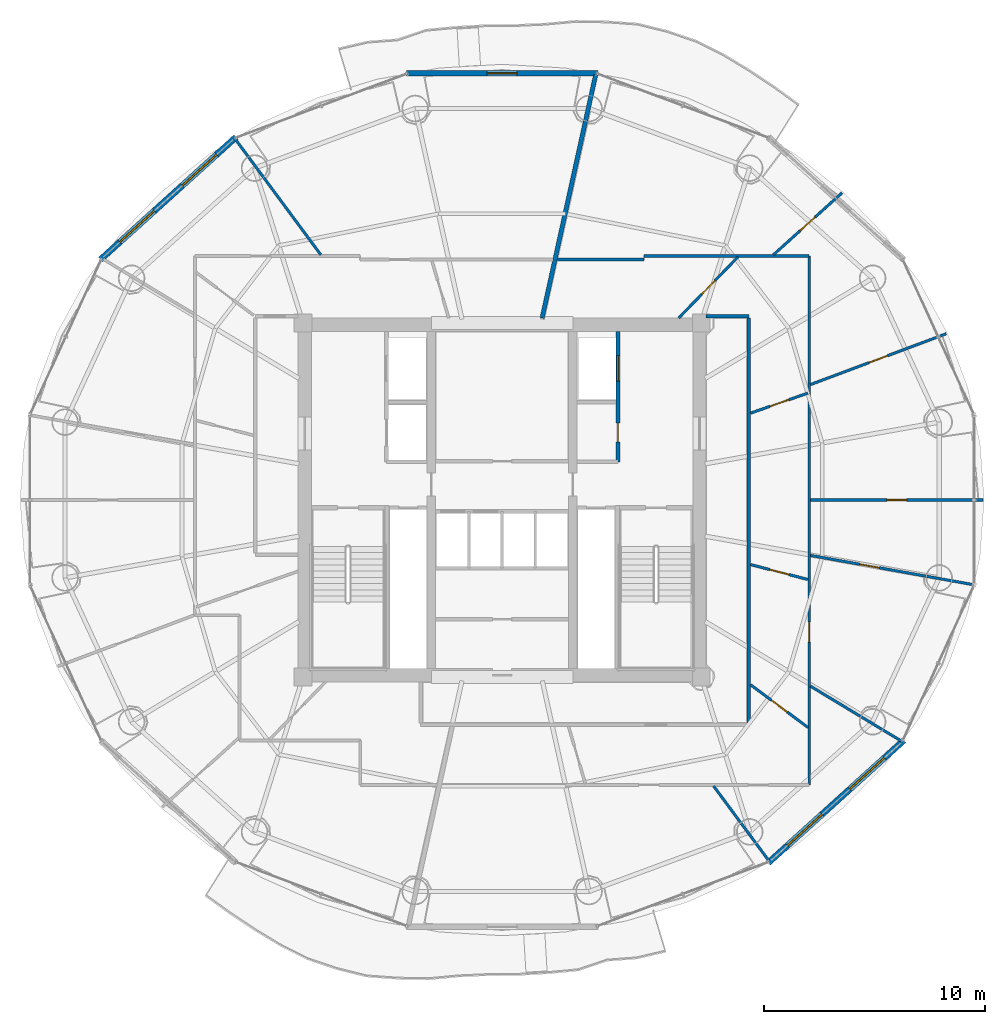
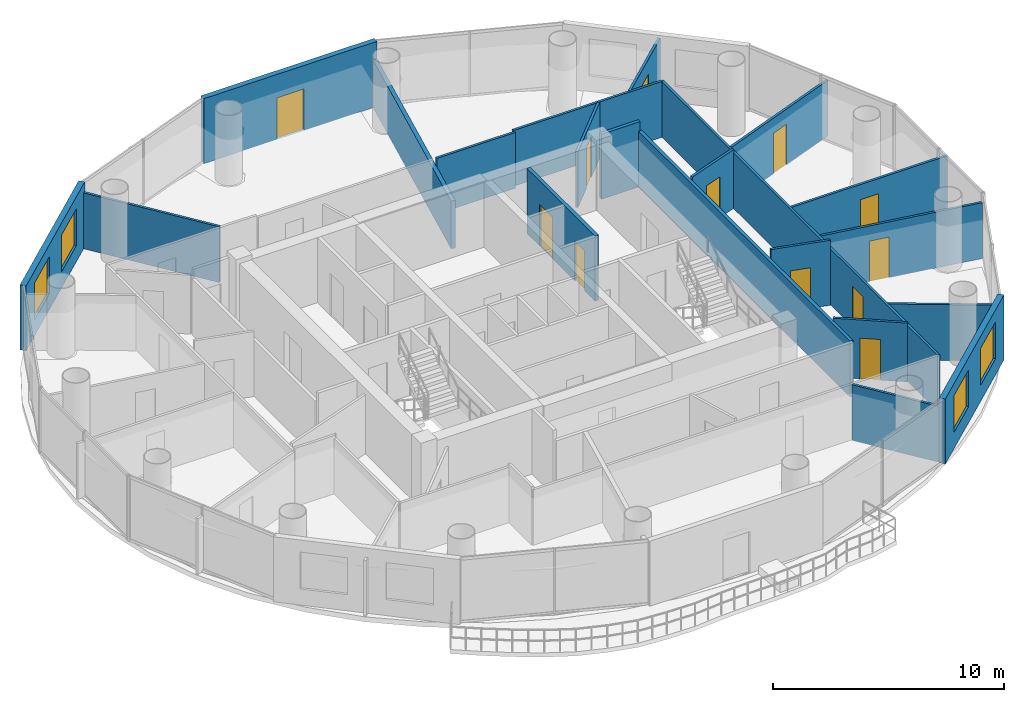
# One storey, part 22 of 26: 21 walls, 12 doors, 4 windows, 16 openings.
"""IFC4 building model written with IfcOpenShell, lengths in metres."""

import ifcopenshell
import ifcopenshell.guid

model = None  # the IFC model being written
_history = None  # IfcOwnerHistory: only IFC2X3 demands one
_inside = {}  # id of a spatial element -> (the spatial element, [elements in it])
_under = {}  # id of a project, library or spatial element -> (it, [spatial elements below it])
_declared = {}  # id of a project -> (the project, [libraries it declares])
_typed = {}  # id of a type object -> (the type object, [elements of that type])
_made_of = {}  # id of a material, layer set ... -> (it, [elements and type objects made of it])


def new_model(schema):
    """Start an empty IFC model of exactly this schema.

    Asked for "IFC4X3", IfcOpenShell would pick the latest addendum, in which some entities
    have other attributes; the version numbers below select the first issue.
    IFC2X3 requires an IfcOwnerHistory on every rooted entity: one is made here for all.
    """
    global model, _history
    if schema == "IFC4X3":
        model = ifcopenshell.file(schema_version=(4, 3, 0, 0))
    else:
        model = ifcopenshell.file(schema=schema)
    _inside.clear()
    _under.clear()
    _declared.clear()
    _typed.clear()
    _made_of.clear()
    _history = None
    if model.schema == "IFC2X3":
        org = make("IfcOrganization", Name="unknown")
        user = make(
            "IfcPersonAndOrganization",
            ThePerson=make("IfcPerson", FamilyName="unknown"),
            TheOrganization=org,
        )
        app = make(
            "IfcApplication",
            ApplicationDeveloper=org,
            Version="unknown",
            ApplicationFullName="unknown",
            ApplicationIdentifier="unknown",
        )
        _history = make(
            "IfcOwnerHistory",
            OwningUser=user,
            OwningApplication=app,
            ChangeAction="ADDED",
            CreationDate=0,
        )
    return model


def make(cls, **values):
    """One entity of the class cls with the attributes given. An attribute that is None is left unset."""
    return model.create_entity(
        cls, **{name: value for name, value in values.items() if value is not None}
    )


def rooted(cls, **values):
    """An entity with a GlobalId (a new one), such as an element, a storey or a relation."""
    return make(cls, GlobalId=ifcopenshell.guid.new(), OwnerHistory=_history, **values)


def si_unit(unit_type, name, prefix=None):
    """IfcSIUnit, for example si_unit("LENGTHUNIT", "METRE", prefix="MILLI")."""
    return make("IfcSIUnit", UnitType=unit_type, Prefix=prefix, Name=name)


def assignment(units):
    """IfcUnitAssignment: the units of a project."""
    return None if units is None else make("IfcUnitAssignment", Units=units)


def point(xyz):
    """IfcCartesianPoint."""
    return None if xyz is None else make("IfcCartesianPoint", Coordinates=xyz)


def direction(xyz):
    """IfcDirection."""
    return None if xyz is None else make("IfcDirection", DirectionRatios=xyz)


def frame(location, z_axis=None, x_axis=None):
    """IfcAxis2Placement3D, a coordinate frame: its origin and axes. An axis left out is left unset."""
    return make(
        "IfcAxis2Placement3D",
        Location=point(location),
        Axis=direction(z_axis),
        RefDirection=direction(x_axis),
    )


def frame_2d(location, x_axis=None):
    """IfcAxis2Placement2D, a coordinate frame in the plane: its origin and x axis."""
    return make(
        "IfcAxis2Placement2D", Location=point(location), RefDirection=direction(x_axis)
    )


def origin():
    """The frame at (0, 0, 0) with its axes left unset."""
    return frame((0.0, 0.0, 0.0))


def place(relative_to, where):
    """IfcLocalPlacement: puts the frame where relative to a parent placement (None: the world)."""
    return make(
        "IfcLocalPlacement", PlacementRelTo=relative_to, RelativePlacement=where
    )


def context(
    kind, dimensions, precision=None, world=None, true_north=None, identifier=None
):
    """IfcGeometricRepresentationContext, for example the 3D "Model" context."""
    return make(
        "IfcGeometricRepresentationContext",
        ContextIdentifier=identifier,
        ContextType=kind,
        CoordinateSpaceDimension=dimensions,
        Precision=precision,
        WorldCoordinateSystem=world,
        TrueNorth=true_north,
    )


def subcontext(parent, identifier, kind, view, scale=None):
    """IfcGeometricRepresentationSubContext, for example "Body" below "Model"."""
    return make(
        "IfcGeometricRepresentationSubContext",
        ContextIdentifier=identifier,
        ContextType=kind,
        ParentContext=parent,
        TargetScale=scale,
        TargetView=view,
    )


def project(units=None, contexts=None):
    """IfcProject with its units and contexts."""
    return rooted(
        "IfcProject",
        Name="project",
        RepresentationContexts=contexts,
        UnitsInContext=assignment(units),
    )


def spatial(cls, under=None, at=None, **own):
    """A site, building, storey or space (cls), placed at a placement, below another one or the project."""
    s = rooted(cls, ObjectPlacement=at, **own)
    if under is not None:
        _under.setdefault(under.id(), (under, []))[1].append(s)
    return s


def profile(cls, at=None, kind="AREA", **sizes):
    """A parametric profile (cls). Its sizes go by their IFC names, for example OverallWidth=200.0."""
    return make(cls, ProfileType=kind, Position=at, **sizes)


def rectangle(**sizes):
    """IfcRectangleProfileDef."""
    return profile("IfcRectangleProfileDef", **sizes)


def extrude(swept, where, along, depth):
    """IfcExtrudedAreaSolid: the profile swept, set in the frame where, extruded along a direction by depth."""
    return make(
        "IfcExtrudedAreaSolid",
        SweptArea=swept,
        Position=where,
        ExtrudedDirection=direction(along),
        Depth=depth,
    )


def shape(context_of_items, identifier, shape_type, items):
    """IfcShapeRepresentation: the items that make up one representation, for example the "Body"."""
    return make(
        "IfcShapeRepresentation",
        ContextOfItems=context_of_items,
        RepresentationIdentifier=identifier,
        RepresentationType=shape_type,
        Items=items,
    )


def source(mapping_origin, context_of_items, identifier, shape_type, items):
    """IfcRepresentationMap: a shape defined once, which mapped items show again and again."""
    return make(
        "IfcRepresentationMap",
        MappingOrigin=mapping_origin,
        MappedRepresentation=shape(context_of_items, identifier, shape_type, items),
    )


def transform(
    local_origin,
    x_axis=None,
    y_axis=None,
    z_axis=None,
    scale=None,
    scale2=None,
    scale3=None,
    uniform=True,
):
    """IfcCartesianTransformationOperator3D, or its non-uniform kind. x_axis, y_axis, z_axis: its Axis1, 2, 3."""
    if uniform:
        return make(
            "IfcCartesianTransformationOperator3D",
            Axis1=direction(x_axis),
            Axis2=direction(y_axis),
            LocalOrigin=point(local_origin),
            Scale=scale,
            Axis3=direction(z_axis),
        )
    return make(
        "IfcCartesianTransformationOperator3DnonUniform",
        Axis1=direction(x_axis),
        Axis2=direction(y_axis),
        LocalOrigin=point(local_origin),
        Scale=scale,
        Axis3=direction(z_axis),
        Scale2=scale2,
        Scale3=scale3,
    )


def mapped(mapping_source, mapping_target):
    """IfcMappedItem: shows the shape of a source again, moved by a transform."""
    return make(
        "IfcMappedItem", MappingSource=mapping_source, MappingTarget=mapping_target
    )


def material(Name=None, Category=None):
    """IfcMaterial."""
    return make("IfcMaterial", Name=Name, Category=Category)


def layer(
    of_material, thickness, ventilated=None, Name=None, Category=None, Priority=None
):
    """IfcMaterialLayer: one layer of a wall or slab, of a material (None: an air gap)."""
    return make(
        "IfcMaterialLayer",
        Material=of_material,
        LayerThickness=thickness,
        IsVentilated=ventilated,
        Name=Name,
        Category=Category,
        Priority=Priority,
    )


def layer_set(layers, Name=None):
    """IfcMaterialLayerSet."""
    return make("IfcMaterialLayerSet", MaterialLayers=layers, LayerSetName=Name)


def made_of(thing, what):
    """Note that an element or type object is made of a material, layer set ...; save() writes the relation."""
    if what is not None:
        _made_of.setdefault(what.id(), (what, []))[1].append(thing)
    return thing


def type_object(cls, material=None, **own):
    """A type object (cls), such as IfcWallType, which elements share."""
    return made_of(rooted(cls, **own), material)


def element(
    cls,
    number,
    at=None,
    inside=None,
    cuts=None,
    type_object=None,
    material=None,
    context=None,
    identifier="Body",
    shape_type=None,
    held_by="IfcProductDefinitionShape",
    body=None,
    shapes=None,
    **own,
):
    """One element of the class cls, such as IfcWall. Its Tag is "e" and its number.

    at: its placement. inside: the storey or other place that contains it. cuts: it is an
    opening in that element (IfcRelVoidsElement). A single representation is given by context,
    identifier, shape_type and body (its items); several are given by shapes. held_by: the class
    of the entity that holds the representations. save() writes the other relations.
    """
    e = rooted(cls, Tag="e%d" % number, ObjectPlacement=at, **own)
    if body is not None:
        shapes = [shape(context, identifier, shape_type, body)]
    if shapes is not None:
        e.Representation = make(held_by, Representations=shapes)
    if inside is not None:
        _inside.setdefault(inside.id(), (inside, []))[1].append(e)
    if cuts is not None:
        rooted(
            "IfcRelVoidsElement", RelatingBuildingElement=cuts, RelatedOpeningElement=e
        )
    if type_object is not None:
        _typed.setdefault(type_object.id(), (type_object, []))[1].append(e)
    return made_of(e, material)


def fill(opening, filler):
    """IfcRelFillsElement: the door or window that sits in an opening."""
    return rooted(
        "IfcRelFillsElement",
        RelatingOpeningElement=opening,
        RelatedBuildingElement=filler,
    )


def aggregate(whole, parts):
    """IfcRelAggregates: a whole, such as a stair, and the parts it consists of."""
    return rooted("IfcRelAggregates", RelatingObject=whole, RelatedObjects=parts)


def save(model, path):
    """Write the relations noted so far, then the file.

    IfcRelAggregates (storeys below a building ...), IfcRelContainedInSpatialStructure (elements
    in a storey), IfcRelDefinesByType, IfcRelAssociatesMaterial and IfcRelDeclares: one each for
    every whole, place, type object, material and project.
    """
    for whole, parts in _under.values():
        aggregate(whole, parts)
    for where, things in _inside.values():
        rooted(
            "IfcRelContainedInSpatialStructure",
            RelatedElements=things,
            RelatingStructure=where,
        )
    for kind, things in _typed.values():
        rooted("IfcRelDefinesByType", RelatedObjects=things, RelatingType=kind)
    for what, things in _made_of.values():
        rooted("IfcRelAssociatesMaterial", RelatedObjects=things, RelatingMaterial=what)
    for by, libraries in _declared.values():
        rooted("IfcRelDeclares", RelatingContext=by, RelatedDefinitions=libraries)
    model.write(path)


model = new_model("IFC4")

# Units and contexts
model_context = context("Model", 3, precision=1e-05, world=origin(), true_north=direction((-0.2419218956, 0.970295726276)))
body_context = subcontext(model_context, "Body", "Model", "MODEL_VIEW")
ifc_project = project(units=[si_unit("LENGTHUNIT", "METRE"), si_unit("AREAUNIT", "SQUARE_METRE"), si_unit("VOLUMEUNIT", "CUBIC_METRE"), si_unit("PLANEANGLEUNIT", "RADIAN"), si_unit("MASSUNIT", "GRAM", prefix="KILO")], contexts=[model_context])

# Site, building, storey
site_placement = place(None, origin())
site = spatial("IfcSite", under=ifc_project, at=site_placement, CompositionType="ELEMENT")
building_placement = place(site_placement, origin())
building = spatial("IfcBuilding", under=site, at=building_placement, Name="Cobrevalo Terracotta Tower", CompositionType="ELEMENT")
storey_placement = place(building_placement, frame((0.0, 0.0, 228.199951171875)))
storey = spatial("IfcBuildingStorey", under=building, at=storey_placement, Name="L60", CompositionType="ELEMENT", Elevation=228.199951171875)

# Walls
ifc_material_1 = material(Name="Gypsum board on steel stud", Category="steel")
ifc_layer_1 = layer(ifc_material_1, 0.159912109375)
ifc_layer_set_1 = layer_set([ifc_layer_1], Name="Gypsum board on steel stud")
wall_type_1 = type_object("IfcWallType", Name="Fire-rated corridor acoustic partition wall 160 mm", PredefinedType="PARTITIONING", material=ifc_layer_set_1)
wall_1_placement = place(storey_placement, frame((49.155029296875, 16.72509765625, 0.0), z_axis=(0.0, 0.0, 1.0), x_axis=(0.0, 1.0, 0.0)))
element("IfcWall", 1, at=wall_1_placement, inside=storey, type_object=wall_type_1, Name="L60 interior partition IW-L60-COR-E", PredefinedType="PARTITIONING", context=body_context, shape_type="SweptSolid", body=[
    extrude(rectangle(XDim=18.2998046875, YDim=0.159912109375, at=frame_2d((9.14990234375, 0.0))), origin(), (0.0, 0.0, 1.0), 2.950927734375),
])
wall_2_placement = place(storey_placement, frame((47.22509765625, 35.10498046875, 0.0), z_axis=(0.0, 0.0, 1.0), x_axis=(1.0, 0.0, 0.0)))
element("IfcWall", 2, at=wall_2_placement, inside=storey, type_object=wall_type_1, Name="L60 interior partition IW-L60-COR-EN-CAP", PredefinedType="PARTITIONING", context=body_context, shape_type="SweptSolid", body=[
    extrude(rectangle(XDim=1.929931640625, YDim=0.159912109375, at=frame_2d((0.96484375, 0.0))), origin(), (0.0, 0.0, 1.0), 3.43505859375),
])

# Wall, openings, doors
ifc_layer_2 = layer(ifc_material_1, 0.179931640625)
ifc_layer_set_2 = layer_set([ifc_layer_2], Name="Gypsum board on steel stud")
wall_type_2 = type_object("IfcWallType", Name="Fire-rated shaft & lobby acoustic partition wall 180 mm", PredefinedType="PARTITIONING", material=ifc_layer_set_2)
wall_3_placement = place(storey_placement, frame((43.22998046875, 28.52001953125, 0.0), z_axis=(0.0, 0.0, 1.0), x_axis=(0.0, 1.0, 0.0)))
wall_3 = element("IfcWall", 3, at=wall_3_placement, inside=storey, type_object=wall_type_2, Name="L60 interior partition IW-L60-FF2-E", PredefinedType="PARTITIONING", context=body_context, shape_type="SweptSolid", body=[
    extrude(rectangle(XDim=5.905029296875, YDim=0.179931640625, at=frame_2d((2.95263671875, 0.0))), origin(), (0.0, 0.0, 1.0), 3.43505859375),
])
opening_1_placement = place(wall_3_placement, frame((0.905029296875, 0.0, 0.0)))
opening_1 = element("IfcOpeningElement", 4, at=opening_1_placement, cuts=wall_3, Name="Opening ID-22", PredefinedType="OPENING", context=body_context, shape_type="SweptSolid", body=[
    extrude(rectangle(XDim=0.85009765625, YDim=2.10009765625, at=frame_2d((0.425048828125, 1.050048828125))), frame((0.0, 0.10009765625, 0.0), z_axis=(0.0, -1.0, 0.0), x_axis=(1.0, 0.0, 0.0)), (0.0, 0.0, 1.0), 0.199951171875),
])
opening_2_placement = place(wall_3_placement, frame((3.655029296875, 0.0, 0.0)))
opening_2 = element("IfcOpeningElement", 5, at=opening_2_placement, cuts=wall_3, Name="Opening LD-02", PredefinedType="OPENING", context=body_context, shape_type="SweptSolid", body=[
    extrude(rectangle(XDim=1.14990234375, YDim=2.199951171875, at=frame_2d((0.574951171875, 1.10009765625))), frame((0.0, 0.10009765625, 0.0), z_axis=(0.0, -1.0, 0.0), x_axis=(1.0, 0.0, 0.0)), (0.0, 0.0, 1.0), 0.199951171875),
])
ifc_material_2 = material(Name="Powder-coated steel", Category="steel")
door_type_1 = type_object("IfcDoorType", Name="Riser shaft & meter closet fire access door 850x2100 EI 60", OperationType="NOTDEFINED", PredefinedType="DOOR", material=ifc_material_2)
shared_shape_1 = source(origin(), body_context, "Body", "SweptSolid", [
    extrude(rectangle(XDim=0.85009765625, YDim=2.10009765625, at=frame_2d((0.425048828125, 1.050048828125))), frame((0.0, 0.02490234375, 0.0), z_axis=(0.0, -1.0, 0.0), x_axis=(1.0, 0.0, 0.0)), (0.0, 0.0, 1.0), 0.050048828125),
])
door_1_placement = place(opening_1_placement, frame((0.85009765625, 0.0, 0.0), z_axis=(0.0, 0.0, 1.0), x_axis=(-1.0, 0.0, 0.0)))
door_1 = element("IfcDoor", 6, at=door_1_placement, inside=storey, type_object=door_type_1, Name="L60 housekeeping store door", OperationType="SINGLE_SWING_RIGHT", OverallHeight=2.10009765625, OverallWidth=0.85009765625, PredefinedType="DOOR", context=body_context, shape_type="MappedRepresentation", body=[
    mapped(shared_shape_1, transform((0.0, 0.0, 0.0), scale=1.0)),
])
fill(opening_1, door_1)
ifc_material_3 = material(Name="Brushed stainless steel", Category="steel")
door_type_2 = type_object("IfcDoorType", Name="Firefighting lift landing bi-parting sliding door 1150x2200 EI 120", OperationType="DOUBLE_DOOR_SLIDING", PredefinedType="DOOR", material=ifc_material_3)
shared_shape_2 = source(origin(), body_context, "Body", "SweptSolid", [
    extrude(rectangle(XDim=1.14990234375, YDim=2.199951171875, at=frame_2d((0.574951171875, 1.10009765625))), frame((0.0, 0.02490234375, 0.0), z_axis=(0.0, -1.0, 0.0), x_axis=(1.0, 0.0, 0.0)), (0.0, 0.0, 1.0), 0.050048828125),
])
door_2_placement = place(opening_2_placement, origin())
door_2 = element("IfcDoor", 7, at=door_2_placement, inside=storey, type_object=door_type_2, Name="L60 lift landing door FF-2", OperationType="DOUBLE_DOOR_SLIDING", OverallHeight=2.199951171875, OverallWidth=1.14990234375, PredefinedType="DOOR", context=body_context, shape_type="MappedRepresentation", body=[
    mapped(shared_shape_2, transform((0.0, 0.0, 0.0), scale=1.0)),
])
fill(opening_2, door_2)

# Wall
ifc_material_4 = material(Name="Autoclaved aerated concrete block", Category="concrete")
ifc_layer_3 = layer(ifc_material_4, 0.199951171875)
ifc_layer_set_3 = layer_set([ifc_layer_3], Name="Autoclaved aerated concrete block")
wall_type_3 = type_object("IfcWallType", Name="Fire-rated stair, shaft & demising masonry wall 200 mm", PredefinedType="PARTITIONING", material=ifc_layer_set_3)
wall_4_placement = place(storey_placement, frame((39.810791015625, 35.02685546875, 0.0), z_axis=(0.0, 0.0, 1.0), x_axis=(0.214966857327, 0.976621344356, 0.0)))
element("IfcWall", 8, at=wall_4_placement, inside=storey, type_object=wall_type_3, Name="L60 interior partition IW-L60-DEM-1", PredefinedType="PARTITIONING", context=body_context, shape_type="SweptSolid", body=[
    extrude(rectangle(XDim=11.25830078125, YDim=0.199951171875, at=frame_2d((5.629150390625, 0.0))), origin(), (0.0, 0.0, 1.0), 2.52001953125),
])

# Wall, openings, windows
ifc_layer_4 = layer(ifc_material_4, 0.280029296875)
ifc_layer_set_4 = layer_set([ifc_layer_4], Name="Autoclaved aerated concrete block")
wall_type_4 = type_object("IfcWallType", Name="Insulated tower spandrel & pier wall 280 mm with terracotta rainscreen", PredefinedType="SOLIDWALL", material=ifc_layer_set_4)
wall_5_placement = place(storey_placement, frame((25.964599609375, 43.208740234375, 0.0), z_axis=(0.0, 0.0, 1.0), x_axis=(-0.741972126783, -0.670430729514, 0.0)))
wall_5 = element("IfcWall", 9, at=wall_5_placement, inside=storey, type_object=wall_type_4, Name="L60 terracotta rainscreen pier wall S06", PredefinedType="SOLIDWALL", context=body_context, shape_type="SweptSolid", body=[
    extrude(rectangle(XDim=8.255126953125, YDim=0.280029296875, at=frame_2d((4.12744140625, 0.0))), origin(), (0.0, 0.0, 1.0), 3.43505859375),
])
opening_3_placement = place(wall_5_placement, frame((1.1787109375, 0.0, 0.85009765625)))
opening_3 = element("IfcOpeningElement", 10, at=opening_3_placement, cuts=wall_5, Name="Opening WN-10", PredefinedType="OPENING", context=body_context, shape_type="SweptSolid", body=[
    extrude(rectangle(XDim=2.10009765625, YDim=1.949951171875, at=frame_2d((1.050048828125, 0.97509765625))), frame((0.0, 0.14990234375, 0.0), z_axis=(0.0, -1.0, 0.0), x_axis=(1.0, 0.0, 0.0)), (0.0, 0.0, 1.0), 0.300048828125),
])
opening_4_placement = place(wall_5_placement, frame((4.97607421875, 0.0, 0.85009765625)))
opening_4 = element("IfcOpeningElement", 11, at=opening_4_placement, cuts=wall_5, Name="Opening WN-10", PredefinedType="OPENING", context=body_context, shape_type="SweptSolid", body=[
    extrude(rectangle(XDim=2.10009765625, YDim=1.949951171875, at=frame_2d((1.050048828125, 0.97509765625))), frame((0.0, 0.14990234375, 0.0), z_axis=(0.0, -1.0, 0.0), x_axis=(1.0, 0.0, 0.0)), (0.0, 0.0, 1.0), 0.300048828125),
])
ifc_material_5 = material(Name="Solar-control low-E double glazing", Category="glass")
window_type = type_object("IfcWindowType", Name="Wide panoramic low-E aluminium window 2100x1950", PartitioningType="SINGLE_PANEL", PredefinedType="WINDOW", material=ifc_material_5)
shared_shape_3 = source(origin(), body_context, "Body", "SweptSolid", [
    extrude(rectangle(XDim=2.10009765625, YDim=1.949951171875, at=frame_2d((1.050048828125, 0.97509765625))), frame((0.0, 0.030029296875, 0.0), z_axis=(0.0, -1.0, 0.0), x_axis=(1.0, 0.0, 0.0)), (0.0, 0.0, 1.0), 0.06005859375),
])
window_1_placement = place(opening_3_placement, origin())
window_1 = element("IfcWindow", 12, at=window_1_placement, inside=storey, type_object=window_type, Name="L60 suite window S06A", OverallHeight=1.949951171875, OverallWidth=2.10009765625, PartitioningType="SINGLE_PANEL", PredefinedType="WINDOW", context=body_context, shape_type="MappedRepresentation", body=[
    mapped(shared_shape_3, transform((0.0, 0.0, 0.0), scale=1.0)),
])
fill(opening_3, window_1)
window_2_placement = place(opening_4_placement, origin())
window_2 = element("IfcWindow", 13, at=window_2_placement, inside=storey, type_object=window_type, Name="L60 suite window S06B", OverallHeight=1.949951171875, OverallWidth=2.10009765625, PartitioningType="SINGLE_PANEL", PredefinedType="WINDOW", context=body_context, shape_type="MappedRepresentation", body=[
    mapped(shared_shape_3, transform((0.0, 0.0, 0.0), scale=1.0)),
])
fill(opening_4, window_2)

wall_6_placement = place(storey_placement, frame((50.035400390625, 10.391357421875, 0.0), z_axis=(0.0, 0.0, 1.0), x_axis=(0.741986838603, 0.670414447443, 0.0)))
wall_6 = element("IfcWall", 14, at=wall_6_placement, inside=storey, type_object=wall_type_4, Name="L60 terracotta rainscreen pier wall S14", PredefinedType="SOLIDWALL", context=body_context, shape_type="SweptSolid", body=[
    extrude(rectangle(XDim=8.2548828125, YDim=0.280029296875, at=frame_2d((4.12744140625, 0.0))), origin(), (0.0, 0.0, 1.0), 3.43505859375),
])
opening_5_placement = place(wall_6_placement, frame((1.1787109375, 0.0, 0.85009765625)))
opening_5 = element("IfcOpeningElement", 15, at=opening_5_placement, cuts=wall_6, Name="Opening WN-10", PredefinedType="OPENING", context=body_context, shape_type="SweptSolid", body=[
    extrude(rectangle(XDim=2.10009765625, YDim=1.949951171875, at=frame_2d((1.050048828125, 0.97509765625))), frame((0.0, 0.14990234375, 0.0), z_axis=(0.0, -1.0, 0.0), x_axis=(1.0, 0.0, 0.0)), (0.0, 0.0, 1.0), 0.300048828125),
])
opening_6_placement = place(wall_6_placement, frame((4.97607421875, 0.0, 0.85009765625)))
opening_6 = element("IfcOpeningElement", 16, at=opening_6_placement, cuts=wall_6, Name="Opening WN-10", PredefinedType="OPENING", context=body_context, shape_type="SweptSolid", body=[
    extrude(rectangle(XDim=2.10009765625, YDim=1.949951171875, at=frame_2d((1.050048828125, 0.97509765625))), frame((0.0, 0.14990234375, 0.0), z_axis=(0.0, -1.0, 0.0), x_axis=(1.0, 0.0, 0.0)), (0.0, 0.0, 1.0), 0.300048828125),
])
window_3_placement = place(opening_5_placement, origin())
window_3 = element("IfcWindow", 17, at=window_3_placement, inside=storey, type_object=window_type, Name="L60 suite window S14A", OverallHeight=1.949951171875, OverallWidth=2.10009765625, PartitioningType="SINGLE_PANEL", PredefinedType="WINDOW", context=body_context, shape_type="MappedRepresentation", body=[
    mapped(shared_shape_3, transform((0.0, 0.0, 0.0), scale=1.0)),
])
fill(opening_5, window_3)
window_4_placement = place(opening_6_placement, origin())
window_4 = element("IfcWindow", 18, at=window_4_placement, inside=storey, type_object=window_type, Name="L60 suite window S14B", OverallHeight=1.949951171875, OverallWidth=2.10009765625, PartitioningType="SINGLE_PANEL", PredefinedType="WINDOW", context=body_context, shape_type="MappedRepresentation", body=[
    mapped(shared_shape_3, transform((0.0, 0.0, 0.0), scale=1.0)),
])
fill(opening_6, window_4)

# Wall, opening, door
ifc_layer_5 = layer(ifc_material_4, 0.260009765625)
ifc_layer_set_5 = layer_set([ifc_layer_5], Name="Autoclaved aerated concrete block")
wall_type_5 = type_object("IfcWallType", Name="Recessed balcony loggia insulated exterior wall 260 mm", PredefinedType="SOLIDWALL", material=ifc_layer_set_5)
wall_7_placement = place(storey_placement, frame((42.3271484375, 46.092041015625, 0.0), z_axis=(0.0, 0.0, 1.0), x_axis=(-1.0, 0.0, 0.0)))
wall_7 = element("IfcWall", 19, at=wall_7_placement, inside=storey, type_object=wall_type_5, Name="L60 balcony loggia wall S04", PredefinedType="SOLIDWALL", context=body_context, shape_type="SweptSolid", body=[
    extrude(rectangle(XDim=8.654296875, YDim=0.260009765625, at=frame_2d((4.3271484375, 0.0))), origin(), (0.0, 0.0, 1.0), 3.43505859375),
])
opening_7_placement = place(wall_7_placement, frame((3.652099609375, 0.0, 0.0)))
opening_7 = element("IfcOpeningElement", 20, at=opening_7_placement, cuts=wall_7, Name="Opening ED-05", PredefinedType="OPENING", context=body_context, shape_type="SweptSolid", body=[
    extrude(rectangle(XDim=1.35009765625, YDim=2.199951171875, at=frame_2d((0.675048828125, 1.10009765625))), frame((0.0, 0.14013671875, 0.0), z_axis=(0.0, -1.0, 0.0), x_axis=(1.0, 0.0, 0.0)), (0.0, 0.0, 1.0), 0.280029296875),
])
ifc_material_6 = material(Name="Anodized aluminium and laminated glass", Category="aluminium")
door_type_3 = type_object("IfcDoorType", Name="Suite balcony acoustic glazed terrace door 1350x2200", OperationType="NOTDEFINED", PredefinedType="DOOR", material=ifc_material_6)
shared_shape_4 = source(origin(), body_context, "Body", "SweptSolid", [
    extrude(rectangle(XDim=1.35009765625, YDim=2.199951171875, at=frame_2d((0.675048828125, 1.10009765625))), frame((0.0, 0.02490234375, 0.0), z_axis=(0.0, -1.0, 0.0), x_axis=(1.0, 0.0, 0.0)), (0.0, 0.0, 1.0), 0.050048828125),
])
door_3_placement = place(opening_7_placement, frame((1.35009765625, 0.0, 0.0), z_axis=(0.0, 0.0, 1.0), x_axis=(-1.0, 0.0, 0.0)))
door_3 = element("IfcDoor", 21, at=door_3_placement, inside=storey, type_object=door_type_3, Name="L60 glazed balcony terrace door 1", OperationType="SINGLE_SWING_LEFT", OverallHeight=2.199951171875, OverallWidth=1.35009765625, PredefinedType="DOOR", context=body_context, shape_type="MappedRepresentation", body=[
    mapped(shared_shape_4, transform((0.0, 0.0, 0.0), scale=1.0)),
])
fill(opening_7, door_3)

# Walls
ifc_layer_6 = layer(ifc_material_1, 0.1201171875)
ifc_layer_set_6 = layer_set([ifc_layer_6], Name="Gypsum board on steel stud")
wall_type_6 = type_object("IfcWallType", Name="Residential internal acoustic stud partition 120 mm", PredefinedType="PARTITIONING", material=ifc_layer_set_6)
wall_8_placement = place(storey_placement, frame((29.8037109375, 37.884765625, 0.0), z_axis=(0.0, 0.0, 1.0), x_axis=(-0.594507557292, 0.804090022524, 0.0)))
element("IfcWall", 22, at=wall_8_placement, inside=storey, type_object=wall_type_6, Name="L60 interior partition IW-L60-U1-ORAD1", PredefinedType="PARTITIONING", context=body_context, shape_type="SweptSolid", body=[
    extrude(rectangle(XDim=6.4814453125, YDim=0.1201171875, at=frame_2d((3.24072265625, 0.0))), origin(), (0.0, 0.0, 1.0), 2.950927734375),
])
wall_9_placement = place(storey_placement, frame((40.495849609375, 37.675048828125, 0.0), z_axis=(0.0, 0.0, 1.0), x_axis=(1.0, 0.0, 0.0)))
element("IfcWall", 23, at=wall_9_placement, inside=storey, type_object=wall_type_6, Name="L60 interior partition IW-L60-U2-RING0_0", PredefinedType="PARTITIONING", context=body_context, shape_type="SweptSolid", body=[
    extrude(rectangle(XDim=3.919189453125, YDim=0.1201171875, at=frame_2d((1.95947265625, 0.0))), origin(), (0.0, 0.0, 1.0), 2.950927734375),
])
wall_10_placement = place(storey_placement, frame((44.4150390625, 37.8349609375, 0.0), z_axis=(0.0, 0.0, 1.0), x_axis=(1.0, 0.0, 0.0)))
element("IfcWall", 24, at=wall_10_placement, inside=storey, type_object=wall_type_6, Name="L60 interior partition IW-L60-U2-RING2_0", PredefinedType="PARTITIONING", context=body_context, shape_type="SweptSolid", body=[
    extrude(rectangle(XDim=7.469970703125, YDim=0.1201171875, at=frame_2d((3.73486328125, 0.0))), origin(), (0.0, 0.0, 1.0), 2.950927734375),
])

# Wall, opening, door
wall_11_placement = place(storey_placement, frame((51.885009765625, 37.8349609375, 0.0), z_axis=(0.0, 0.0, 1.0), x_axis=(0.0, -1.0, 0.0)))
wall_11 = element("IfcWall", 25, at=wall_11_placement, inside=storey, type_object=wall_type_6, Name="L60 interior partition IW-L60-U2-RING3_0", PredefinedType="PARTITIONING", context=body_context, shape_type="SweptSolid", body=[
    extrude(rectangle(XDim=23.919921875, YDim=0.1201171875, at=frame_2d((11.9599609375, 0.0))), origin(), (0.0, 0.0, 1.0), 2.950927734375),
])
opening_8_placement = place(wall_11_placement, frame((16.55810546875, 0.0, 0.0)))
opening_8 = element("IfcOpeningElement", 26, at=opening_8_placement, cuts=wall_11, Name="Opening ID-12", PredefinedType="OPENING", context=body_context, shape_type="SweptSolid", body=[
    extrude(rectangle(XDim=0.89990234375, YDim=2.14990234375, at=frame_2d((0.449951171875, 1.074951171875))), frame((0.0, 0.070068359375, 0.0), z_axis=(0.0, -1.0, 0.0), x_axis=(1.0, 0.0, 0.0)), (0.0, 0.0, 1.0), 0.14013671875),
])
ifc_material_7 = material(Name="Engineered timber", Category="wood")
door_type_4 = type_object("IfcDoorType", Name="Internal residence & suite timber door 900x2150", OperationType="NOTDEFINED", PredefinedType="DOOR", material=ifc_material_7)
shared_shape_5 = source(origin(), body_context, "Body", "SweptSolid", [
    extrude(rectangle(XDim=0.89990234375, YDim=2.14990234375, at=frame_2d((0.449951171875, 1.074951171875))), frame((0.0, 0.02490234375, 0.0), z_axis=(0.0, -1.0, 0.0), x_axis=(1.0, 0.0, 0.0)), (0.0, 0.0, 1.0), 0.050048828125),
])
door_4_placement = place(opening_8_placement, origin())
door_4 = element("IfcDoor", 27, at=door_4_placement, inside=storey, type_object=door_type_4, Name="Flat L60B Principal Guest Bedroom internal door", OperationType="SINGLE_SWING_LEFT", OverallHeight=2.14990234375, OverallWidth=0.89990234375, PredefinedType="DOOR", context=body_context, shape_type="MappedRepresentation", body=[
    mapped(shared_shape_5, transform((0.0, 0.0, 0.0), scale=1.0)),
])
fill(opening_8, door_4)

# Walls
wall_12_placement = place(storey_placement, frame((47.564208984375, 13.865234375, 0.0), z_axis=(0.0, 0.0, 1.0), x_axis=(0.594501071103, -0.804094818076, 0.0)))
element("IfcWall", 28, at=wall_12_placement, inside=storey, type_object=wall_type_6, Name="L60 interior partition IW-L60-U2-ORAD1", PredefinedType="PARTITIONING", context=body_context, shape_type="SweptSolid", body=[
    extrude(rectangle(XDim=4.1806640625, YDim=0.1201171875, at=frame_2d((2.09033203125, 0.0))), origin(), (0.0, 0.0, 1.0), 2.950927734375),
])
wall_13_placement = place(storey_placement, frame((51.93798828125, 18.384033203125, 0.0), z_axis=(0.0, 0.0, 1.0), x_axis=(0.856058483833, -0.516878972543, 0.0)))
element("IfcWall", 29, at=wall_13_placement, inside=storey, type_object=wall_type_6, Name="L60 interior partition IW-L60-U2-ORAD2", PredefinedType="PARTITIONING", context=body_context, shape_type="SweptSolid", body=[
    extrude(rectangle(XDim=4.78662109375, YDim=0.1201171875, at=frame_2d((2.393310546875, 0.0))), origin(), (0.0, 0.0, 1.0), 2.950927734375),
])

# Wall, opening, door
wall_14_placement = place(storey_placement, frame((51.946044921875, 24.293212890625, 0.0), z_axis=(0.0, 0.0, 1.0), x_axis=(0.984227185588, -0.176909149424, 0.0)))
wall_14 = element("IfcWall", 30, at=wall_14_placement, inside=storey, type_object=wall_type_6, Name="L60 interior partition IW-L60-U2-ORAD3", PredefinedType="PARTITIONING", context=body_context, shape_type="SweptSolid", body=[
    extrude(rectangle(XDim=7.447998046875, YDim=0.1201171875, at=frame_2d((3.72412109375, 0.0))), origin(), (0.0, 0.0, 1.0), 2.950927734375),
])
opening_9_placement = place(wall_14_placement, frame((2.263916015625, 0.0, 0.0)))
opening_9 = element("IfcOpeningElement", 31, at=opening_9_placement, cuts=wall_14, Name="Opening ID-12", PredefinedType="OPENING", context=body_context, shape_type="SweptSolid", body=[
    extrude(rectangle(XDim=0.89990234375, YDim=2.14990234375, at=frame_2d((0.449951171875, 1.074951171875))), frame((0.0, 0.070068359375, 0.0), z_axis=(0.0, -1.0, 0.0), x_axis=(1.0, 0.0, 0.0)), (0.0, 0.0, 1.0), 0.14013671875),
])
door_5_placement = place(opening_9_placement, origin())
door_5 = element("IfcDoor", 32, at=door_5_placement, inside=storey, type_object=door_type_4, Name="Flat L60B North Bedroom internal door", OperationType="SINGLE_SWING_RIGHT", OverallHeight=2.14990234375, OverallWidth=0.89990234375, PredefinedType="DOOR", context=body_context, shape_type="MappedRepresentation", body=[
    mapped(shared_shape_5, transform((0.0, 0.0, 0.0), scale=1.0)),
])
fill(opening_9, door_5)

wall_15_placement = place(storey_placement, frame((51.947021484375, 26.800048828125, 0.0), z_axis=(0.0, 0.0, 1.0), x_axis=(1.0, 0.0, 0.0)))
wall_15 = element("IfcWall", 33, at=wall_15_placement, inside=storey, type_object=wall_type_6, Name="L60 interior partition IW-L60-U2-ORAD4M1", PredefinedType="PARTITIONING", context=body_context, shape_type="SweptSolid", body=[
    extrude(rectangle(XDim=7.79296875, YDim=0.1201171875, at=frame_2d((3.896484375, 0.0))), origin(), (0.0, 0.0, 1.0), 2.950927734375),
])
opening_10_placement = place(wall_15_placement, frame((3.446533203125, 0.0, 0.0)))
opening_10 = element("IfcOpeningElement", 34, at=opening_10_placement, cuts=wall_15, Name="Opening ID-12", PredefinedType="OPENING", context=body_context, shape_type="SweptSolid", body=[
    extrude(rectangle(XDim=0.89990234375, YDim=2.14990234375, at=frame_2d((0.449951171875, 1.074951171875))), frame((0.0, 0.070068359375, 0.0), z_axis=(0.0, -1.0, 0.0), x_axis=(1.0, 0.0, 0.0)), (0.0, 0.0, 1.0), 0.14013671875),
])
door_6_placement = place(opening_10_placement, origin())
door_6 = element("IfcDoor", 35, at=door_6_placement, inside=storey, type_object=door_type_4, Name="Flat L60B Principal Guest Bedroom internal door", OperationType="SINGLE_SWING_LEFT", OverallHeight=2.14990234375, OverallWidth=0.89990234375, PredefinedType="DOOR", context=body_context, shape_type="MappedRepresentation", body=[
    mapped(shared_shape_5, transform((0.0, 0.0, 0.0), scale=1.0)),
])
fill(opening_10, door_6)

wall_16_placement = place(storey_placement, frame((51.943115234375, 32.01904296875, 0.0), z_axis=(0.0, 0.0, 1.0), x_axis=(0.936540194592, 0.350560214389, 0.0)))
wall_16 = element("IfcWall", 36, at=wall_16_placement, inside=storey, type_object=wall_type_6, Name="L60 interior partition IW-L60-U2-ORAD4", PredefinedType="PARTITIONING", context=body_context, shape_type="SweptSolid", body=[
    extrude(rectangle(XDim=6.55615234375, YDim=0.1201171875, at=frame_2d((3.278076171875, 0.0))), origin(), (0.0, 0.0, 1.0), 2.950927734375),
])
opening_11_placement = place(wall_16_placement, frame((2.828125, 0.0, 0.0)))
opening_11 = element("IfcOpeningElement", 37, at=opening_11_placement, cuts=wall_16, Name="Opening ID-12", PredefinedType="OPENING", context=body_context, shape_type="SweptSolid", body=[
    extrude(rectangle(XDim=0.89990234375, YDim=2.14990234375, at=frame_2d((0.449951171875, 1.074951171875))), frame((0.0, 0.070068359375, 0.0), z_axis=(0.0, -1.0, 0.0), x_axis=(1.0, 0.0, 0.0)), (0.0, 0.0, 1.0), 0.14013671875),
])
door_7_placement = place(opening_11_placement, origin())
door_7 = element("IfcDoor", 38, at=door_7_placement, inside=storey, type_object=door_type_4, Name="Flat L60B Penthouse Family Lounge internal door", OperationType="SINGLE_SWING_RIGHT", OverallHeight=2.14990234375, OverallWidth=0.89990234375, PredefinedType="DOOR", context=body_context, shape_type="MappedRepresentation", body=[
    mapped(shared_shape_5, transform((0.0, 0.0, 0.0), scale=1.0)),
])
fill(opening_11, door_7)

wall_17_placement = place(storey_placement, frame((50.25732421875, 37.87646484375, 0.0), z_axis=(0.0, 0.0, 1.0), x_axis=(0.741943837234, 0.670462036502, 0.0)))
wall_17 = element("IfcWall", 39, at=wall_17_placement, inside=storey, type_object=wall_type_6, Name="L60 interior partition IW-L60-U2-ORAD5", PredefinedType="PARTITIONING", context=body_context, shape_type="SweptSolid", body=[
    extrude(rectangle(XDim=4.194091796875, YDim=0.1201171875, at=frame_2d((2.09716796875, 0.0))), origin(), (0.0, 0.0, 1.0), 2.950927734375),
])
opening_12_placement = place(wall_17_placement, frame((1.64697265625, 0.0, 0.0)))
opening_12 = element("IfcOpeningElement", 40, at=opening_12_placement, cuts=wall_17, Name="Opening ID-12", PredefinedType="OPENING", context=body_context, shape_type="SweptSolid", body=[
    extrude(rectangle(XDim=0.89990234375, YDim=2.14990234375, at=frame_2d((0.449951171875, 1.074951171875))), frame((0.0, 0.070068359375, 0.0), z_axis=(0.0, -1.0, 0.0), x_axis=(1.0, 0.0, 0.0)), (0.0, 0.0, 1.0), 0.14013671875),
])
door_8_placement = place(opening_12_placement, origin())
door_8 = element("IfcDoor", 41, at=door_8_placement, inside=storey, type_object=door_type_4, Name="Flat L60B Private Cinema Room internal door", OperationType="SINGLE_SWING_LEFT", OverallHeight=2.14990234375, OverallWidth=0.89990234375, PredefinedType="DOOR", context=body_context, shape_type="MappedRepresentation", body=[
    mapped(shared_shape_5, transform((0.0, 0.0, 0.0), scale=1.0)),
])
fill(opening_12, door_8)

wall_18_placement = place(storey_placement, frame((49.236572265625, 18.4443359375, 0.0), z_axis=(0.0, 0.0, 1.0), x_axis=(0.802454010275, -0.596713969497, 0.0)))
wall_18 = element("IfcWall", 42, at=wall_18_placement, inside=storey, type_object=wall_type_6, Name="L60 interior partition IW-L60-U2-IRAD2", PredefinedType="PARTITIONING", context=body_context, shape_type="SweptSolid", body=[
    extrude(rectangle(XDim=3.23828125, YDim=0.1201171875, at=frame_2d((1.619140625, 0.0))), origin(), (0.0, 0.0, 1.0), 3.110107421875),
])
opening_13_placement = place(wall_18_placement, frame((1.169189453125, 0.0, 0.0)))
opening_13 = element("IfcOpeningElement", 43, at=opening_13_placement, cuts=wall_18, Name="Opening ID-12", PredefinedType="OPENING", context=body_context, shape_type="SweptSolid", body=[
    extrude(rectangle(XDim=0.89990234375, YDim=2.14990234375, at=frame_2d((0.449951171875, 1.074951171875))), frame((0.0, 0.070068359375, 0.0), z_axis=(0.0, -1.0, 0.0), x_axis=(1.0, 0.0, 0.0)), (0.0, 0.0, 1.0), 0.14013671875),
])
door_9_placement = place(opening_13_placement, origin())
door_9 = element("IfcDoor", 44, at=door_9_placement, inside=storey, type_object=door_type_4, Name="Flat L60B Kitchen internal door", OperationType="SINGLE_SWING_RIGHT", OverallHeight=2.14990234375, OverallWidth=0.89990234375, PredefinedType="DOOR", context=body_context, shape_type="MappedRepresentation", body=[
    mapped(shared_shape_5, transform((0.0, 0.0, 0.0), scale=1.0)),
])
fill(opening_13, door_9)

wall_19_placement = place(storey_placement, frame((49.237060546875, 23.878662109375, 0.0), z_axis=(0.0, 0.0, 1.0), x_axis=(0.967822506788, -0.251633851765, 0.0)))
wall_19 = element("IfcWall", 45, at=wall_19_placement, inside=storey, type_object=wall_type_6, Name="L60 interior partition IW-L60-U2-IRAD3", PredefinedType="PARTITIONING", context=body_context, shape_type="SweptSolid", body=[
    extrude(rectangle(XDim=2.673828125, YDim=0.1201171875, at=frame_2d((1.3369140625, 0.0))), origin(), (0.0, 0.0, 1.0), 3.43505859375),
])
opening_14_placement = place(wall_19_placement, frame((0.886962890625, 0.0, 0.0)))
opening_14 = element("IfcOpeningElement", 46, at=opening_14_placement, cuts=wall_19, Name="Opening ID-12", PredefinedType="OPENING", context=body_context, shape_type="SweptSolid", body=[
    extrude(rectangle(XDim=0.89990234375, YDim=2.14990234375, at=frame_2d((0.449951171875, 1.074951171875))), frame((0.0, 0.070068359375, 0.0), z_axis=(0.0, -1.0, 0.0), x_axis=(1.0, 0.0, 0.0)), (0.0, 0.0, 1.0), 0.14013671875),
])
door_10_placement = place(opening_14_placement, origin())
door_10 = element("IfcDoor", 47, at=door_10_placement, inside=storey, type_object=door_type_4, Name="Flat L60B Home Office Study internal door", OperationType="SINGLE_SWING_LEFT", OverallHeight=2.14990234375, OverallWidth=0.89990234375, PredefinedType="DOOR", context=body_context, shape_type="MappedRepresentation", body=[
    mapped(shared_shape_5, transform((0.0, 0.0, 0.0), scale=1.0)),
])
fill(opening_14, door_10)

wall_20_placement = place(storey_placement, frame((49.23681640625, 30.728515625, 0.0), z_axis=(0.0, 0.0, 1.0), x_axis=(0.94398177501, 0.329997588549, 0.0)))
wall_20 = element("IfcWall", 48, at=wall_20_placement, inside=storey, type_object=wall_type_6, Name="L60 interior partition IW-L60-U2-IRAD4", PredefinedType="PARTITIONING", context=body_context, shape_type="SweptSolid", body=[
    extrude(rectangle(XDim=2.7431640625, YDim=0.1201171875, at=frame_2d((1.37158203125, 0.0))), origin(), (0.0, 0.0, 1.0), 3.110107421875),
])
opening_15_placement = place(wall_20_placement, frame((0.921630859375, 0.0, 0.0)))
opening_15 = element("IfcOpeningElement", 49, at=opening_15_placement, cuts=wall_20, Name="Opening ID-12", PredefinedType="OPENING", context=body_context, shape_type="SweptSolid", body=[
    extrude(rectangle(XDim=0.89990234375, YDim=2.14990234375, at=frame_2d((0.449951171875, 1.074951171875))), frame((0.0, 0.070068359375, 0.0), z_axis=(0.0, -1.0, 0.0), x_axis=(1.0, 0.0, 0.0)), (0.0, 0.0, 1.0), 0.14013671875),
])
door_11_placement = place(opening_15_placement, origin())
door_11 = element("IfcDoor", 50, at=door_11_placement, inside=storey, type_object=door_type_4, Name="Flat L60B Utility Closet internal door", OperationType="SINGLE_SWING_RIGHT", OverallHeight=2.14990234375, OverallWidth=0.89990234375, PredefinedType="DOOR", context=body_context, shape_type="MappedRepresentation", body=[
    mapped(shared_shape_5, transform((0.0, 0.0, 0.0), scale=1.0)),
])
fill(opening_15, door_11)

wall_21_placement = place(storey_placement, frame((45.9833984375, 35.0263671875, 0.0), z_axis=(0.0, 0.0, 1.0), x_axis=(0.696410097703, 0.717644045344, 0.0)))
wall_21 = element("IfcWall", 51, at=wall_21_placement, inside=storey, type_object=wall_type_6, Name="L60 interior partition IW-L60-U2-IRAD5", PredefinedType="PARTITIONING", context=body_context, shape_type="SweptSolid", body=[
    extrude(rectangle(XDim=3.851806640625, YDim=0.1201171875, at=frame_2d((1.92578125, 0.0))), origin(), (0.0, 0.0, 1.0), 2.950927734375),
])
opening_16_placement = place(wall_21_placement, frame((1.495849609375, 0.0, 0.0)))
opening_16 = element("IfcOpeningElement", 52, at=opening_16_placement, cuts=wall_21, Name="Opening ID-19", PredefinedType="OPENING", context=body_context, shape_type="SweptSolid", body=[
    extrude(rectangle(XDim=0.860107421875, YDim=2.14990234375, at=frame_2d((0.43017578125, 1.074951171875))), frame((0.0, 0.070068359375, 0.0), z_axis=(0.0, -1.0, 0.0), x_axis=(1.0, 0.0, 0.0)), (0.0, 0.0, 1.0), 0.14013671875),
])
ifc_material_8 = material(Name="Moisture-sealed timber", Category="wood")
door_type_5 = type_object("IfcDoorType", Name="Suite bathroom internal timber door 860x2150", OperationType="NOTDEFINED", PredefinedType="DOOR", material=ifc_material_8)
shared_shape_6 = source(origin(), body_context, "Body", "SweptSolid", [
    extrude(rectangle(XDim=0.860107421875, YDim=2.14990234375, at=frame_2d((0.43017578125, 1.074951171875))), frame((0.0, 0.02490234375, 0.0), z_axis=(0.0, -1.0, 0.0), x_axis=(1.0, 0.0, 0.0)), (0.0, 0.0, 1.0), 0.050048828125),
])
door_12_placement = place(opening_16_placement, origin())
door_12 = element("IfcDoor", 53, at=door_12_placement, inside=storey, type_object=door_type_5, Name="Flat L60B Guest Bathroom internal door", OperationType="SINGLE_SWING_LEFT", OverallHeight=2.14990234375, OverallWidth=0.860107421875, PredefinedType="DOOR", context=body_context, shape_type="MappedRepresentation", body=[
    mapped(shared_shape_6, transform((0.0, 0.0, 0.0), scale=1.0)),
])
fill(opening_16, door_12)

save(model, "model.ifc")
